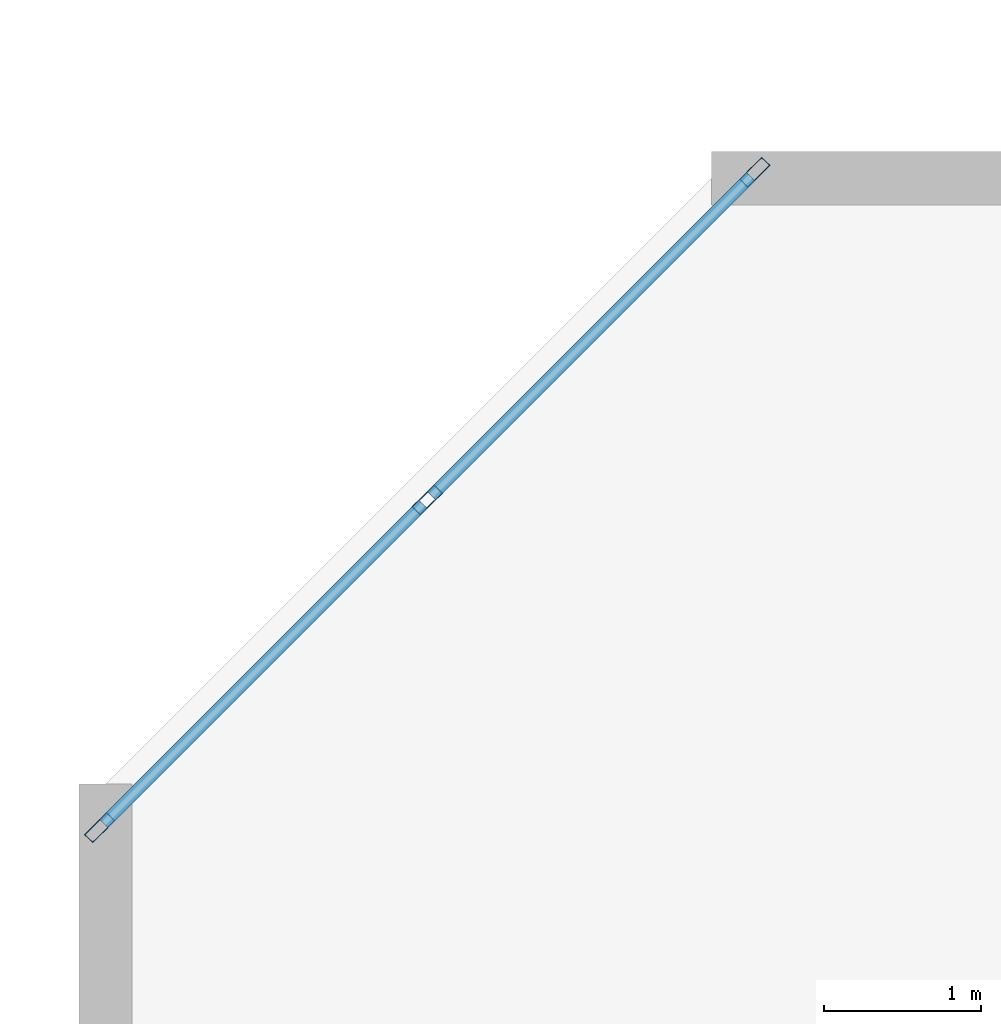
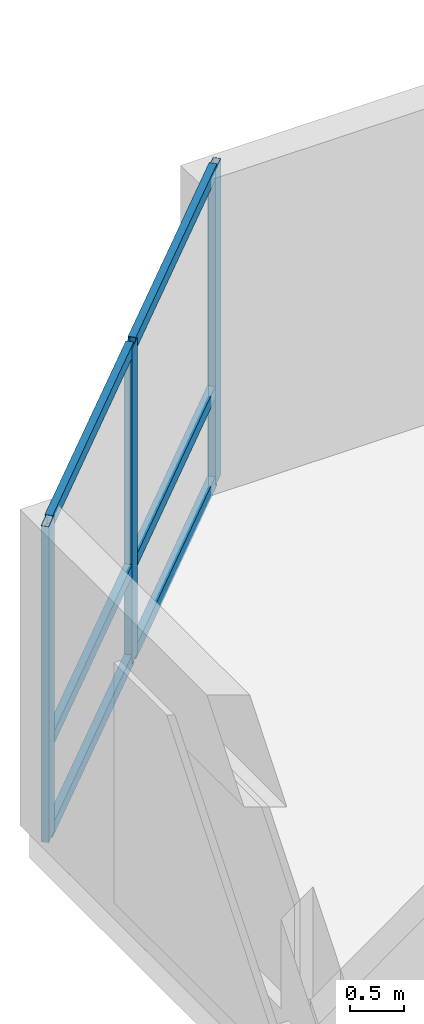
# One storey, part 3 of 12: 9 members, 1 element without a shape of its own.
"""IFC4 building model written with IfcOpenShell, lengths in metres."""

from ifc_helpers import new_model, si_unit, direction, frame, origin, origin_2d, place, context, subcontext, project, spatial, hollow_rectangle, extrude, material, layer, layer_set, material_profile, profile_set, type_object, element, aggregate, save


model = new_model("IFC4")

# Units and contexts
model_context = context("Model", 3, precision=1e-05, world=origin(), true_north=direction((0.0, 1.0)))
body_context = subcontext(model_context, "Body", "Model", "MODEL_VIEW")
ifc_project = project(units=[si_unit("LENGTHUNIT", "METRE"), si_unit("AREAUNIT", "SQUARE_METRE"), si_unit("VOLUMEUNIT", "CUBIC_METRE"), si_unit("PLANEANGLEUNIT", "RADIAN"), si_unit("MASSUNIT", "GRAM", prefix="KILO")], contexts=[model_context])

# Site, building, storey
site_placement = place(None, origin())
site = spatial("IfcSite", under=ifc_project, at=site_placement, CompositionType="ELEMENT")
building_placement = place(site_placement, origin())
building = spatial("IfcBuilding", under=site, at=building_placement, Name="Kestravale Grand Hotel", CompositionType="ELEMENT")
storey_placement = place(building_placement, frame((0.0, 0.0, 56.39990234375)))
storey = spatial("IfcBuildingStorey", under=building, at=storey_placement, Name="L13", CompositionType="ELEMENT", Elevation=56.39990234375)

# Curtain wall, members
ifc_material_1 = material(Name="Thermally broken champagne-bronze aluminium and low-E glazing", Category="aluminium")
ifc_layer = layer(ifc_material_1, 0.199951171875)
ifc_layer_set = layer_set([ifc_layer], Name="CW-Z1")
curtain_wall_type = type_object("IfcCurtainWallType", Name="CW-Z1", PredefinedType="NOTDEFINED", material=ifc_layer_set)
curtain_wall_placement = place(storey_placement, origin())
curtain_wall = element("IfcCurtainWall", 1, at=curtain_wall_placement, inside=storey, type_object=curtain_wall_type, Name="L13 unitised curtain wall 18", PredefinedType="NOTDEFINED")
ifc_material_2 = material(Name="Aluminium 6063-T6 anodised", Category="aluminium")
ifc_material_profile_1 = material_profile(ifc_material_2, hollow_rectangle(XDim=0.074951171875, YDim=0.199951171875, WallThickness=0.00390625, at=origin_2d()))
ifc_profile_set_1 = profile_set([ifc_material_profile_1], Name="Aluminium 6063-T6 anodised")
member_type_1 = type_object("IfcMemberType", Name="CW-MUL-200", PredefinedType="MULLION", material=ifc_profile_set_1)
member_1_placement = place(storey_placement, frame((6.707763671875, 46.0673828125, 0.0), z_axis=(0.0, 0.0, 1.0), x_axis=(0.707106781187, -0.707106781187, 0.0)))
member_1 = element("IfcMember", 2, at=member_1_placement, type_object=member_type_1, Name="CW-Z1 mullion 1", PredefinedType="MULLION", context=body_context, shape_type="SweptSolid", body=[
    extrude(hollow_rectangle(XDim=0.074951171875, YDim=0.199951171875, WallThickness=0.00390625, at=origin_2d()), origin(), (0.0, 0.0, 1.0), 3.5400390625),
])
member_2_placement = place(storey_placement, frame((4.6201171875, 43.979736328125, 0.0), z_axis=(0.0, 0.0, 1.0), x_axis=(0.707106781187, -0.707106781187, 0.0)))
member_2 = element("IfcMember", 3, at=member_2_placement, type_object=member_type_1, Name="CW-Z1 mullion 2", PredefinedType="MULLION", context=body_context, shape_type="SweptSolid", body=[
    extrude(hollow_rectangle(XDim=0.074951171875, YDim=0.199951171875, WallThickness=0.00390625, at=origin_2d()), origin(), (0.0, 0.0, 1.0), 3.5400390625),
])
member_3_placement = place(storey_placement, frame((2.532470703125, 41.89208984375, 0.0), z_axis=(0.0, 0.0, 1.0), x_axis=(0.707106781187, -0.707106781187, 0.0)))
member_3 = element("IfcMember", 4, at=member_3_placement, type_object=member_type_1, Name="CW-Z1 mullion 3", PredefinedType="MULLION", context=body_context, shape_type="SweptSolid", body=[
    extrude(hollow_rectangle(XDim=0.074951171875, YDim=0.199951171875, WallThickness=0.00390625, at=origin_2d()), origin(), (0.0, 0.0, 1.0), 3.5400390625),
])
ifc_material_3 = material(Name="Aluminium 6063-T6 anodised", Category="aluminium")
ifc_material_profile_2 = material_profile(ifc_material_3, hollow_rectangle(XDim=0.074951171875, YDim=0.139892578125, WallThickness=0.00341796875, at=origin_2d()))
ifc_profile_set_2 = profile_set([ifc_material_profile_2], Name="Aluminium 6063-T6 anodised")
member_type_2 = type_object("IfcMemberType", Name="CW-TRN-140", PredefinedType="USERDEFINED", material=ifc_profile_set_2)
member_4_placement = place(storey_placement, frame((6.681396484375, 46.041015625, 0.03759765625), z_axis=(-0.707106781187, -0.707106781187, 0.0), x_axis=(0.707106781187, -0.707106781187, 0.0)))
member_4 = element("IfcMember", 5, at=member_4_placement, type_object=member_type_2, Name="CW-Z1 transom 1.1", ObjectType="TRANSOM", PredefinedType="USERDEFINED", context=body_context, shape_type="SweptSolid", body=[
    extrude(hollow_rectangle(XDim=0.074951171875, YDim=0.139892578125, WallThickness=0.00341796875, at=origin_2d()), origin(), (0.0, 0.0, 1.0), 2.87744140625),
])
member_5_placement = place(storey_placement, frame((6.681396484375, 46.041015625, 1.050048828125), z_axis=(-0.707106781187, -0.707106781187, 0.0), x_axis=(0.707106781187, -0.707106781187, 0.0)))
member_5 = element("IfcMember", 6, at=member_5_placement, type_object=member_type_2, Name="CW-Z1 transom 1.2", ObjectType="TRANSOM", PredefinedType="USERDEFINED", context=body_context, shape_type="SweptSolid", body=[
    extrude(hollow_rectangle(XDim=0.074951171875, YDim=0.139892578125, WallThickness=0.00341796875, at=origin_2d()), origin(), (0.0, 0.0, 1.0), 2.87744140625),
])
member_6_placement = place(storey_placement, frame((6.681396484375, 46.041015625, 3.502685546875), z_axis=(-0.707106781187, -0.707106781187, 0.0), x_axis=(0.707106781187, -0.707106781187, 0.0)))
member_6 = element("IfcMember", 7, at=member_6_placement, type_object=member_type_2, Name="CW-Z1 transom 1.3", ObjectType="TRANSOM", PredefinedType="USERDEFINED", context=body_context, shape_type="SweptSolid", body=[
    extrude(hollow_rectangle(XDim=0.074951171875, YDim=0.139892578125, WallThickness=0.00341796875, at=origin_2d()), origin(), (0.0, 0.0, 1.0), 2.87744140625),
])
member_7_placement = place(storey_placement, frame((4.59375, 43.953369140625, 0.03759765625), z_axis=(-0.707106781187, -0.707106781187, 0.0), x_axis=(0.707106781187, -0.707106781187, 0.0)))
member_7 = element("IfcMember", 8, at=member_7_placement, type_object=member_type_2, Name="CW-Z1 transom 2.1", ObjectType="TRANSOM", PredefinedType="USERDEFINED", context=body_context, shape_type="SweptSolid", body=[
    extrude(hollow_rectangle(XDim=0.074951171875, YDim=0.139892578125, WallThickness=0.00341796875, at=origin_2d()), origin(), (0.0, 0.0, 1.0), 2.87744140625),
])
member_8_placement = place(storey_placement, frame((4.59375, 43.953369140625, 1.050048828125), z_axis=(-0.707106781187, -0.707106781187, 0.0), x_axis=(0.707106781187, -0.707106781187, 0.0)))
member_8 = element("IfcMember", 9, at=member_8_placement, type_object=member_type_2, Name="CW-Z1 transom 2.2", ObjectType="TRANSOM", PredefinedType="USERDEFINED", context=body_context, shape_type="SweptSolid", body=[
    extrude(hollow_rectangle(XDim=0.074951171875, YDim=0.139892578125, WallThickness=0.00341796875, at=origin_2d()), origin(), (0.0, 0.0, 1.0), 2.87744140625),
])
member_9_placement = place(storey_placement, frame((4.59375, 43.953369140625, 3.502685546875), z_axis=(-0.707106781187, -0.707106781187, 0.0), x_axis=(0.707106781187, -0.707106781187, 0.0)))
member_9 = element("IfcMember", 10, at=member_9_placement, type_object=member_type_2, Name="CW-Z1 transom 2.3", ObjectType="TRANSOM", PredefinedType="USERDEFINED", context=body_context, shape_type="SweptSolid", body=[
    extrude(hollow_rectangle(XDim=0.074951171875, YDim=0.139892578125, WallThickness=0.00341796875, at=origin_2d()), origin(), (0.0, 0.0, 1.0), 2.87744140625),
])
aggregate(curtain_wall, [member_1, member_2, member_3, member_4, member_5, member_6, member_7, member_8, member_9])

save(model, "model.ifc")
